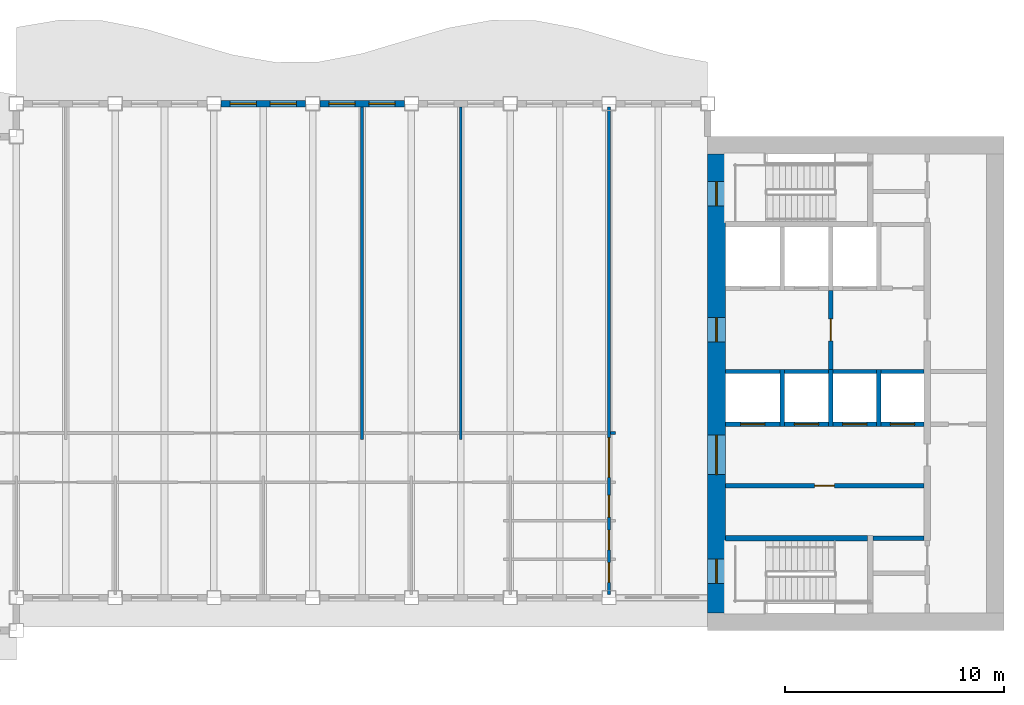
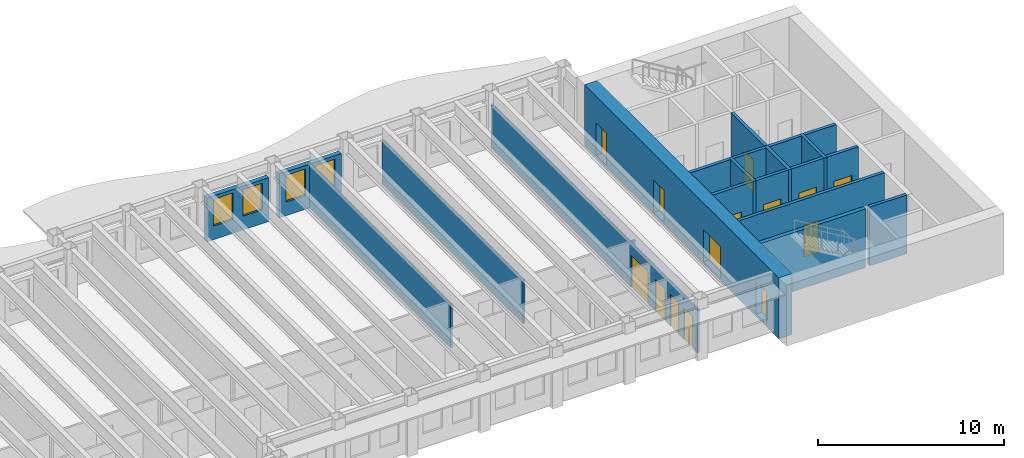
# One storey, part 5 of 12: 22 walls, 14 doors, 4 windows, 18 openings.
"""IFC4 building model written with IfcOpenShell, lengths in metres."""

from ifc_helpers import new_model, si_unit, direction, frame, frame_2d, origin, place, context, subcontext, project, spatial, rectangle, extrude, material, layer, layer_set, type_object, element, fill, save


model = new_model("IFC4")

# Units and contexts
model_context = context("Model", 3, precision=1e-05, world=origin(), true_north=direction((0.0, 1.0)))
body_context = subcontext(model_context, "Body", "Model", "MODEL_VIEW")
ifc_project = project(units=[si_unit("LENGTHUNIT", "METRE"), si_unit("AREAUNIT", "SQUARE_METRE"), si_unit("VOLUMEUNIT", "CUBIC_METRE"), si_unit("PLANEANGLEUNIT", "RADIAN"), si_unit("MASSUNIT", "GRAM", prefix="KILO")], contexts=[model_context])

# Site, building, storey
site_placement = place(None, origin())
site = spatial("IfcSite", under=ifc_project, at=site_placement, CompositionType="ELEMENT")
building_placement = place(site_placement, origin())
building = spatial("IfcBuilding", under=site, at=building_placement, Name="Sennacour Bend Tower", CompositionType="ELEMENT")
storey_placement = place(building_placement, frame((0.0, 0.0, 277.0)))
storey = spatial("IfcBuildingStorey", under=building, at=storey_placement, Name="L64", CompositionType="ELEMENT", Elevation=277.0)

# Wall, openings, doors
ifc_material_1 = material(Name="Concrete C50/60", Category="concrete")
ifc_layer_1 = layer(ifc_material_1, 0.800048828125, Name="Concrete C50/60", Category="concrete")
ifc_layer_set_1 = layer_set([ifc_layer_1], Name="Concrete C50/60")
wall_type_1 = type_object("IfcWallType", Name="Core wall 800 C50/60", PredefinedType="SHEAR", material=ifc_layer_set_1)
wall_1_placement = place(storey_placement, frame((54.39990234375, 0.800048828125, -0.14990234375), z_axis=(0.0, 0.0, 1.0), x_axis=(0.0, 1.0, 0.0)))
wall_1 = element("IfcWall", 1, at=wall_1_placement, inside=storey, type_object=wall_type_1, Name="Core A wall L64 W", PredefinedType="SHEAR", context=body_context, shape_type="SweptSolid", body=[
    extrude(rectangle(XDim=20.89990234375, YDim=0.800048828125, at=frame_2d((10.449951171875, 0.0))), origin(), (0.0, 0.0, 1.0), 4.0),
])
opening_1_placement = place(wall_1_placement, frame((6.300048828125, 0.0, 0.14990234375)))
opening_1 = element("IfcOpeningElement", 2, at=opening_1_placement, cuts=wall_1, Name="Opening CD", PredefinedType="OPENING", context=body_context, shape_type="SweptSolid", body=[
    extrude(rectangle(XDim=1.800048828125, YDim=2.10009765625, at=frame_2d((0.89990234375, 1.050048828125))), frame((0.0, 0.41015625, 0.0), z_axis=(0.0, -1.0, 0.0), x_axis=(1.0, 0.0, 0.0)), (0.0, 0.0, 1.0), 0.820068359375),
])
opening_2_placement = place(wall_1_placement, frame((12.35009765625, 0.0, 0.14990234375)))
opening_2 = element("IfcOpeningElement", 3, at=opening_2_placement, cuts=wall_1, Name="Opening FD", PredefinedType="OPENING", context=body_context, shape_type="SweptSolid", body=[
    extrude(rectangle(XDim=1.10009765625, YDim=2.10009765625, at=frame_2d((0.550048828125, 1.050048828125))), frame((0.0, 0.41015625, 0.0), z_axis=(0.0, -1.0, 0.0), x_axis=(1.0, 0.0, 0.0)), (0.0, 0.0, 1.0), 0.820068359375),
])
opening_3_placement = place(wall_1_placement, frame((1.35009765625, 0.0, 0.14990234375)))
opening_3 = element("IfcOpeningElement", 4, at=opening_3_placement, cuts=wall_1, Name="Opening SD", PredefinedType="OPENING", context=body_context, shape_type="SweptSolid", body=[
    extrude(rectangle(XDim=1.10009765625, YDim=2.10009765625, at=frame_2d((0.550048828125, 1.050048828125))), frame((0.0, 0.41015625, 0.0), z_axis=(0.0, -1.0, 0.0), x_axis=(1.0, 0.0, 0.0)), (0.0, 0.0, 1.0), 0.820068359375),
])
opening_4_placement = place(wall_1_placement, frame((18.550048828125, 0.0, 0.14990234375)))
opening_4 = element("IfcOpeningElement", 5, at=opening_4_placement, cuts=wall_1, Name="Opening SD", PredefinedType="OPENING", context=body_context, shape_type="SweptSolid", body=[
    extrude(rectangle(XDim=1.10009765625, YDim=2.10009765625, at=frame_2d((0.550048828125, 1.050048828125))), frame((0.0, 0.41015625, 0.0), z_axis=(0.0, -1.0, 0.0), x_axis=(1.0, 0.0, 0.0)), (0.0, 0.0, 1.0), 0.820068359375),
])
ifc_material_2 = material(Name="Painted steel", Category="steel")
door_type_1 = type_object("IfcDoorType", Name="DR-FFL-1100", OperationType="NOTDEFINED", PredefinedType="DOOR", material=ifc_material_2)
door_1_placement = place(opening_2_placement, origin())
door_1 = element("IfcDoor", 6, at=door_1_placement, inside=storey, type_object=door_type_1, Name="Door", OperationType="SINGLE_SWING_RIGHT", OverallHeight=2.10009765625, OverallWidth=1.10009765625, PredefinedType="DOOR", context=body_context, shape_type="SweptSolid", body=[
    extrude(rectangle(XDim=1.10009765625, YDim=2.10009765625, at=frame_2d((0.550048828125, 1.050048828125))), frame((0.0, 0.02490234375, 0.0), z_axis=(0.0, -1.0, 0.0), x_axis=(1.0, 0.0, 0.0)), (0.0, 0.0, 1.0), 0.050048828125),
])
fill(opening_2, door_1)
door_type_2 = type_object("IfcDoorType", Name="DR-LOBBY-1800", OperationType="NOTDEFINED", PredefinedType="DOOR", material=ifc_material_2)
door_2_placement = place(opening_1_placement, origin())
door_2 = element("IfcDoor", 7, at=door_2_placement, inside=storey, type_object=door_type_2, Name="Door", OperationType="DOUBLE_DOOR_SINGLE_SWING", OverallHeight=2.10009765625, OverallWidth=1.800048828125, PredefinedType="DOOR", context=body_context, shape_type="SweptSolid", body=[
    extrude(rectangle(XDim=1.800048828125, YDim=2.10009765625, at=frame_2d((0.89990234375, 1.050048828125))), frame((0.0, 0.02490234375, 0.0), z_axis=(0.0, -1.0, 0.0), x_axis=(1.0, 0.0, 0.0)), (0.0, 0.0, 1.0), 0.050048828125),
])
fill(opening_1, door_2)
door_type_3 = type_object("IfcDoorType", Name="DR-STAIR-1100", OperationType="NOTDEFINED", PredefinedType="DOOR", material=ifc_material_2)
door_3_placement = place(opening_3_placement, origin())
door_3 = element("IfcDoor", 8, at=door_3_placement, inside=storey, type_object=door_type_3, Name="Door", OperationType="SINGLE_SWING_LEFT", OverallHeight=2.10009765625, OverallWidth=1.10009765625, PredefinedType="DOOR", context=body_context, shape_type="SweptSolid", body=[
    extrude(rectangle(XDim=1.10009765625, YDim=2.10009765625, at=frame_2d((0.550048828125, 1.050048828125))), frame((0.0, 0.02490234375, 0.0), z_axis=(0.0, -1.0, 0.0), x_axis=(1.0, 0.0, 0.0)), (0.0, 0.0, 1.0), 0.050048828125),
])
fill(opening_3, door_3)
door_4_placement = place(opening_4_placement, origin())
door_4 = element("IfcDoor", 9, at=door_4_placement, inside=storey, type_object=door_type_3, Name="Door", OperationType="SINGLE_SWING_RIGHT", OverallHeight=2.10009765625, OverallWidth=1.10009765625, PredefinedType="DOOR", context=body_context, shape_type="SweptSolid", body=[
    extrude(rectangle(XDim=1.10009765625, YDim=2.10009765625, at=frame_2d((0.550048828125, 1.050048828125))), frame((0.0, 0.02490234375, 0.0), z_axis=(0.0, -1.0, 0.0), x_axis=(1.0, 0.0, 0.0)), (0.0, 0.0, 1.0), 0.050048828125),
])
fill(opening_4, door_4)

# Walls
ifc_material_3 = material(Name="Plasterboard partition on steel studs", Category="steel")
ifc_layer_2 = layer(ifc_material_3, 0.1201171875, Name="Plasterboard partition on steel studs", Category="steel")
ifc_layer_set_2 = layer_set([ifc_layer_2], Name="Plasterboard partition on steel studs")
wall_type_2 = type_object("IfcWallType", Name="Partition 120", PredefinedType="PARTITIONING", material=ifc_layer_set_2)
for number, where, z_axis, x_axis, name in (
    (10, (38.25, 8.699951171875, 0.0), (0.0, 0.0, 1.0), (0.0, 1.0, 0.0), "P-L64-W014a"),
    (11, (42.75, 8.699951171875, 0.0), (0.0, 0.0, 1.0), (0.0, 1.0, 0.0), "P-L64-W016a"),
):
    element("IfcWall", number, at=place(storey_placement, frame(where, z_axis=z_axis, x_axis=x_axis)), inside=storey, type_object=wall_type_2, Name=name, PredefinedType="PARTITIONING", context=body_context, shape_type="SweptSolid", body=[
        extrude(rectangle(XDim=15.150146484375, YDim=0.1201171875, at=frame_2d((7.5751953125, 0.0))), origin(), (0.0, 0.0, 1.0), 2.8701171875),
    ])
wall_2_placement = place(storey_placement, frame((49.56005859375, 9.0, 0.0), z_axis=(0.0, 0.0, 1.0), x_axis=(1.0, 0.0, 0.0)))
element("IfcWall", 12, at=wall_2_placement, inside=storey, type_object=wall_type_2, Name="P-L64-W044ag", PredefinedType="PARTITIONING", context=body_context, shape_type="SweptSolid", body=[
    extrude(rectangle(XDim=0.239990234375, YDim=0.1201171875, at=frame_2d((0.1201171875, 0.0))), origin(), (0.0, 0.0, 1.0), 2.8701171875),
])

# Wall, openings, doors
ifc_layer_3 = layer(ifc_material_3, 0.1201171875, Name="Plasterboard partition on steel studs", Category="steel")
ifc_layer_set_3 = layer_set([ifc_layer_3], Name="Plasterboard partition on steel studs")
wall_type_3 = type_object("IfcWallType", Name="Partition 120 EI 30", PredefinedType="PARTITIONING", material=ifc_layer_set_3)
wall_3_placement = place(storey_placement, frame((49.5, 1.64990234375, 0.0), z_axis=(0.0, 0.0, 1.0), x_axis=(0.0, 1.0, 0.0)))
wall_3 = element("IfcWall", 13, at=wall_3_placement, inside=storey, type_object=wall_type_3, Name="P-L64-W018a", PredefinedType="PARTITIONING", context=body_context, shape_type="SweptSolid", body=[
    extrude(rectangle(XDim=22.2001953125, YDim=0.1201171875, at=frame_2d((11.10009765625, 0.0))), origin(), (0.0, 0.0, 1.0), 2.8701171875),
])
opening_5_placement = place(wall_3_placement, frame((5.3251953125, 0.0, 0.0)))
opening_5 = element("IfcOpeningElement", 14, at=opening_5_placement, cuts=wall_3, Name="Opening KD3", PredefinedType="OPENING", context=body_context, shape_type="SweptSolid", body=[
    extrude(rectangle(XDim=1.800048828125, YDim=2.10009765625, at=frame_2d((0.89990234375, 1.050048828125))), frame((0.0, 0.070068359375, 0.0), z_axis=(0.0, -1.0, 0.0), x_axis=(1.0, 0.0, 0.0)), (0.0, 0.0, 1.0), 0.14013671875),
])
opening_6_placement = place(wall_3_placement, frame((0.5400390625, 0.0, 0.0)))
opening_6 = element("IfcOpeningElement", 15, at=opening_6_placement, cuts=wall_3, Name="Opening WD", PredefinedType="OPENING", context=body_context, shape_type="SweptSolid", body=[
    extrude(rectangle(XDim=0.89990234375, YDim=2.10009765625, at=frame_2d((0.449951171875, 1.050048828125))), frame((0.0, 0.070068359375, 0.0), z_axis=(0.0, -1.0, 0.0), x_axis=(1.0, 0.0, 0.0)), (0.0, 0.0, 1.0), 0.14013671875),
])
opening_7_placement = place(wall_3_placement, frame((2.025146484375, 0.0, 0.0)))
opening_7 = element("IfcOpeningElement", 16, at=opening_7_placement, cuts=wall_3, Name="Opening WD", PredefinedType="OPENING", context=body_context, shape_type="SweptSolid", body=[
    extrude(rectangle(XDim=0.89990234375, YDim=2.10009765625, at=frame_2d((0.449951171875, 1.050048828125))), frame((0.0, 0.070068359375, 0.0), z_axis=(0.0, -1.0, 0.0), x_axis=(1.0, 0.0, 0.0)), (0.0, 0.0, 1.0), 0.14013671875),
])
opening_8_placement = place(wall_3_placement, frame((3.510009765625, 0.0, 0.0)))
opening_8 = element("IfcOpeningElement", 17, at=opening_8_placement, cuts=wall_3, Name="Opening AD", PredefinedType="OPENING", context=body_context, shape_type="SweptSolid", body=[
    extrude(rectangle(XDim=1.0, YDim=2.10009765625, at=frame_2d((0.5, 1.050048828125))), frame((0.0, 0.070068359375, 0.0), z_axis=(0.0, -1.0, 0.0), x_axis=(1.0, 0.0, 0.0)), (0.0, 0.0, 1.0), 0.14013671875),
])
ifc_material_4 = material(Name="Timber", Category="wood")
door_type_4 = type_object("IfcDoorType", Name="DR-ACC-WC-1000", OperationType="NOTDEFINED", PredefinedType="DOOR", material=ifc_material_4)
door_5_placement = place(opening_8_placement, origin())
door_5 = element("IfcDoor", 18, at=door_5_placement, inside=storey, type_object=door_type_4, Name="Door", OperationType="SINGLE_SWING_LEFT", OverallHeight=2.10009765625, OverallWidth=1.0, PredefinedType="DOOR", context=body_context, shape_type="SweptSolid", body=[
    extrude(rectangle(XDim=1.0, YDim=2.10009765625, at=frame_2d((0.5, 1.050048828125))), frame((0.0, 0.02490234375, 0.0), z_axis=(0.0, -1.0, 0.0), x_axis=(1.0, 0.0, 0.0)), (0.0, 0.0, 1.0), 0.050048828125),
])
fill(opening_8, door_5)
door_type_5 = type_object("IfcDoorType", Name="DR-CORRIDOR-1800", OperationType="NOTDEFINED", PredefinedType="DOOR", material=ifc_material_2)
door_6_placement = place(opening_5_placement, origin())
door_6 = element("IfcDoor", 19, at=door_6_placement, inside=storey, type_object=door_type_5, Name="Door", OperationType="DOUBLE_DOOR_SINGLE_SWING", OverallHeight=2.10009765625, OverallWidth=1.800048828125, PredefinedType="DOOR", context=body_context, shape_type="SweptSolid", body=[
    extrude(rectangle(XDim=1.800048828125, YDim=2.10009765625, at=frame_2d((0.89990234375, 1.050048828125))), frame((0.0, 0.02490234375, 0.0), z_axis=(0.0, -1.0, 0.0), x_axis=(1.0, 0.0, 0.0)), (0.0, 0.0, 1.0), 0.050048828125),
])
fill(opening_5, door_6)
door_type_6 = type_object("IfcDoorType", Name="DR-WC-900", OperationType="NOTDEFINED", PredefinedType="DOOR", material=ifc_material_4)
door_7_placement = place(opening_6_placement, origin())
door_7 = element("IfcDoor", 20, at=door_7_placement, inside=storey, type_object=door_type_6, Name="Door", OperationType="SINGLE_SWING_LEFT", OverallHeight=2.10009765625, OverallWidth=0.89990234375, PredefinedType="DOOR", context=body_context, shape_type="SweptSolid", body=[
    extrude(rectangle(XDim=0.89990234375, YDim=2.10009765625, at=frame_2d((0.449951171875, 1.050048828125))), frame((0.0, 0.02490234375, 0.0), z_axis=(0.0, -1.0, 0.0), x_axis=(1.0, 0.0, 0.0)), (0.0, 0.0, 1.0), 0.050048828125),
])
fill(opening_6, door_7)
door_8_placement = place(opening_7_placement, origin())
door_8 = element("IfcDoor", 21, at=door_8_placement, inside=storey, type_object=door_type_6, Name="Door", OperationType="SINGLE_SWING_LEFT", OverallHeight=2.10009765625, OverallWidth=0.89990234375, PredefinedType="DOOR", context=body_context, shape_type="SweptSolid", body=[
    extrude(rectangle(XDim=0.89990234375, YDim=2.10009765625, at=frame_2d((0.449951171875, 1.050048828125))), frame((0.0, 0.02490234375, 0.0), z_axis=(0.0, -1.0, 0.0), x_axis=(1.0, 0.0, 0.0)), (0.0, 0.0, 1.0), 0.050048828125),
])
fill(opening_7, door_8)

# Wall
ifc_material_5 = material(Name="Fire-rated plasterboard partition on steel studs", Category="steel")
ifc_layer_4 = layer(ifc_material_5, 0.199951171875, Name="Fire-rated plasterboard partition on steel studs", Category="steel")
ifc_layer_set_4 = layer_set([ifc_layer_4], Name="Fire-rated plasterboard partition on steel studs")
wall_type_4 = type_object("IfcWallType", Name="Rated partition 200", PredefinedType="PARTITIONING", material=ifc_layer_set_4)
wall_4_placement = place(storey_placement, frame((61.52490234375, 4.199951171875, 0.0), z_axis=(0.0, 0.0, 1.0), x_axis=(1.0, 0.0, 0.0)))
element("IfcWall", 22, at=wall_4_placement, inside=storey, type_object=wall_type_4, Name="P-L64-W040", PredefinedType="PARTITIONING", context=body_context, shape_type="SweptSolid", body=[
    extrude(rectangle(XDim=2.3251953125, YDim=0.199951171875, at=frame_2d((1.16259765625, 0.0))), origin(), (0.0, 0.0, 1.0), 3.85009765625),
])

# Wall, opening, door
wall_5_placement = place(storey_placement, frame((54.800048828125, 6.60009765625, 0.0), z_axis=(0.0, 0.0, 1.0), x_axis=(1.0, 0.0, 0.0)))
wall_5 = element("IfcWall", 23, at=wall_5_placement, inside=storey, type_object=wall_type_4, Name="P-L64-W042", PredefinedType="PARTITIONING", context=body_context, shape_type="SweptSolid", body=[
    extrude(rectangle(XDim=9.050048828125, YDim=0.199951171875, at=frame_2d((4.52490234375, 0.0))), origin(), (0.0, 0.0, 1.0), 3.85009765625),
])
opening_9_placement = place(wall_5_placement, frame((4.074951171875, 0.0, 0.0)))
opening_9 = element("IfcOpeningElement", 24, at=opening_9_placement, cuts=wall_5, Name="Opening SV", PredefinedType="OPENING", context=body_context, shape_type="SweptSolid", body=[
    extrude(rectangle(XDim=0.89990234375, YDim=2.10009765625, at=frame_2d((0.449951171875, 1.050048828125))), frame((0.0, 0.10986328125, 0.0), z_axis=(0.0, -1.0, 0.0), x_axis=(1.0, 0.0, 0.0)), (0.0, 0.0, 1.0), 0.219970703125),
])
door_type_7 = type_object("IfcDoorType", Name="DR-SERVICE-900", OperationType="NOTDEFINED", PredefinedType="DOOR", material=ifc_material_2)
door_9_placement = place(opening_9_placement, origin())
door_9 = element("IfcDoor", 25, at=door_9_placement, inside=storey, type_object=door_type_7, Name="Door", OperationType="SINGLE_SWING_LEFT", OverallHeight=2.10009765625, OverallWidth=0.89990234375, PredefinedType="DOOR", context=body_context, shape_type="SweptSolid", body=[
    extrude(rectangle(XDim=0.89990234375, YDim=2.10009765625, at=frame_2d((0.449951171875, 1.050048828125))), frame((0.0, 0.02490234375, 0.0), z_axis=(0.0, -1.0, 0.0), x_axis=(1.0, 0.0, 0.0)), (0.0, 0.0, 1.0), 0.050048828125),
])
fill(opening_9, door_9)

ifc_layer_5 = layer(ifc_material_5, 0.199951171875, Name="Fire-rated plasterboard partition on steel studs", Category="steel")
ifc_layer_set_5 = layer_set([ifc_layer_5], Name="Fire-rated plasterboard partition on steel studs")
wall_type_5 = type_object("IfcWallType", Name="Rated partition 200 EI 90", PredefinedType="PARTITIONING", material=ifc_layer_set_5)
wall_6_placement = place(storey_placement, frame((59.60009765625, 11.89990234375, 0.0), z_axis=(0.0, 0.0, 1.0), x_axis=(0.0, 1.0, 0.0)))
wall_6 = element("IfcWall", 26, at=wall_6_placement, inside=storey, type_object=wall_type_5, Name="P-L64-W023", PredefinedType="PARTITIONING", context=body_context, shape_type="SweptSolid", body=[
    extrude(rectangle(XDim=3.60009765625, YDim=0.199951171875, at=frame_2d((1.800048828125, 0.0))), origin(), (0.0, 0.0, 1.0), 3.85009765625),
])
opening_10_placement = place(wall_6_placement, frame((1.300048828125, 0.0, 0.0)))
opening_10 = element("IfcOpeningElement", 27, at=opening_10_placement, cuts=wall_6, Name="Opening FD2", PredefinedType="OPENING", context=body_context, shape_type="SweptSolid", body=[
    extrude(rectangle(XDim=1.0, YDim=2.10009765625, at=frame_2d((0.5, 1.050048828125))), frame((0.0, 0.10986328125, 0.0), z_axis=(0.0, -1.0, 0.0), x_axis=(1.0, 0.0, 0.0)), (0.0, 0.0, 1.0), 0.219970703125),
])
door_type_8 = type_object("IfcDoorType", Name="DR-FFL-1000", OperationType="NOTDEFINED", PredefinedType="DOOR", material=ifc_material_2)
door_10_placement = place(opening_10_placement, origin())
door_10 = element("IfcDoor", 28, at=door_10_placement, inside=storey, type_object=door_type_8, Name="Door", OperationType="SINGLE_SWING_LEFT", OverallHeight=2.10009765625, OverallWidth=1.0, PredefinedType="DOOR", context=body_context, shape_type="SweptSolid", body=[
    extrude(rectangle(XDim=1.0, YDim=2.10009765625, at=frame_2d((0.5, 1.050048828125))), frame((0.0, 0.02490234375, 0.0), z_axis=(0.0, -1.0, 0.0), x_axis=(1.0, 0.0, 0.0)), (0.0, 0.0, 1.0), 0.050048828125),
])
fill(opening_10, door_10)

# Wall, openings, windows
ifc_material_6 = material(Name="Warm limestone cladding", Category="masonry")
ifc_layer_6 = layer(ifc_material_6, 0.050048828125, Name="Warm limestone cladding", Category="masonry")
ifc_material_7 = material(Name="Precast concrete C40/50", Category="concrete")
ifc_layer_7 = layer(ifc_material_7, 0.25, Name="Precast concrete C40/50", Category="concrete")
ifc_layer_set_6 = layer_set([ifc_layer_6, ifc_layer_7], Name="Precast concrete C40/50 with limestone cladding")
wall_type_6 = type_object("IfcWallType", Name="STONE-CLAD PRECAST SPANDREL 300", PredefinedType="STANDARD", material=ifc_layer_set_6)
wall_7_placement = place(storey_placement, frame((40.175048828125, 24.0, 0.0), z_axis=(0.0, 0.0, 1.0), x_axis=(-1.0, 0.0, 0.0)))
wall_7 = element("IfcWall", 29, at=wall_7_placement, inside=storey, type_object=wall_type_6, Name="Stone spandrel and pier wall L64 07.03", PredefinedType="STANDARD", context=body_context, shape_type="SweptSolid", body=[
    extrude(rectangle(XDim=3.85009765625, YDim=0.300048828125, at=frame_2d((1.925048828125, 0.0))), origin(), (0.0, 0.0, 1.0), 2.8701171875),
])
opening_11_placement = place(wall_7_placement, frame((0.41259765625, 0.0, 0.89990234375)))
opening_11 = element("IfcOpeningElement", 30, at=opening_11_placement, cuts=wall_7, Name="Opening W16", PredefinedType="OPENING", context=body_context, shape_type="SweptSolid", body=[
    extrude(rectangle(XDim=1.199951171875, YDim=1.75, at=frame_2d((0.60009765625, 0.875))), frame((0.0, 0.16015625, 0.0), z_axis=(0.0, -1.0, 0.0), x_axis=(1.0, 0.0, 0.0)), (0.0, 0.0, 1.0), 0.320068359375),
])
opening_12_placement = place(wall_7_placement, frame((2.237548828125, 0.0, 0.89990234375)))
opening_12 = element("IfcOpeningElement", 31, at=opening_12_placement, cuts=wall_7, Name="Opening W16", PredefinedType="OPENING", context=body_context, shape_type="SweptSolid", body=[
    extrude(rectangle(XDim=1.199951171875, YDim=1.75, at=frame_2d((0.60009765625, 0.875))), frame((0.0, 0.16015625, 0.0), z_axis=(0.0, -1.0, 0.0), x_axis=(1.0, 0.0, 0.0)), (0.0, 0.0, 1.0), 0.320068359375),
])
ifc_material_8 = material(Name="Clear low-emissivity glass", Category="glass")
window_type = type_object("IfcWindowType", Name="WIN-RIBBON-1200x1750", PartitioningType="SINGLE_PANEL", PredefinedType="WINDOW", material=ifc_material_8)
window_1_placement = place(opening_11_placement, origin())
window_1 = element("IfcWindow", 32, at=window_1_placement, inside=storey, type_object=window_type, Name="Ribbon window L64 07.03.0", OverallHeight=1.75, OverallWidth=1.199951171875, PartitioningType="SINGLE_PANEL", PredefinedType="WINDOW", context=body_context, shape_type="SweptSolid", body=[
    extrude(rectangle(XDim=1.199951171875, YDim=1.75, at=frame_2d((0.60009765625, 0.875))), frame((0.0, 0.030029296875, 0.0), z_axis=(0.0, -1.0, 0.0), x_axis=(1.0, 0.0, 0.0)), (0.0, 0.0, 1.0), 0.06005859375),
])
fill(opening_11, window_1)
window_2_placement = place(opening_12_placement, origin())
window_2 = element("IfcWindow", 33, at=window_2_placement, inside=storey, type_object=window_type, Name="Ribbon window L64 07.03.1", OverallHeight=1.75, OverallWidth=1.199951171875, PartitioningType="SINGLE_PANEL", PredefinedType="WINDOW", context=body_context, shape_type="SweptSolid", body=[
    extrude(rectangle(XDim=1.199951171875, YDim=1.75, at=frame_2d((0.60009765625, 0.875))), frame((0.0, 0.030029296875, 0.0), z_axis=(0.0, -1.0, 0.0), x_axis=(1.0, 0.0, 0.0)), (0.0, 0.0, 1.0), 0.06005859375),
])
fill(opening_12, window_2)

wall_8_placement = place(storey_placement, frame((35.675048828125, 24.0, 0.0), z_axis=(0.0, 0.0, 1.0), x_axis=(-1.0, 0.0, 0.0)))
wall_8 = element("IfcWall", 34, at=wall_8_placement, inside=storey, type_object=wall_type_6, Name="Stone spandrel and pier wall L64 07.04", PredefinedType="STANDARD", context=body_context, shape_type="SweptSolid", body=[
    extrude(rectangle(XDim=3.85009765625, YDim=0.300048828125, at=frame_2d((1.925048828125, 0.0))), origin(), (0.0, 0.0, 1.0), 2.8701171875),
])
opening_13_placement = place(wall_8_placement, frame((0.41259765625, 0.0, 0.89990234375)))
opening_13 = element("IfcOpeningElement", 35, at=opening_13_placement, cuts=wall_8, Name="Opening W16", PredefinedType="OPENING", context=body_context, shape_type="SweptSolid", body=[
    extrude(rectangle(XDim=1.199951171875, YDim=1.75, at=frame_2d((0.60009765625, 0.875))), frame((0.0, 0.16015625, 0.0), z_axis=(0.0, -1.0, 0.0), x_axis=(1.0, 0.0, 0.0)), (0.0, 0.0, 1.0), 0.320068359375),
])
opening_14_placement = place(wall_8_placement, frame((2.237548828125, 0.0, 0.89990234375)))
opening_14 = element("IfcOpeningElement", 36, at=opening_14_placement, cuts=wall_8, Name="Opening W16", PredefinedType="OPENING", context=body_context, shape_type="SweptSolid", body=[
    extrude(rectangle(XDim=1.199951171875, YDim=1.75, at=frame_2d((0.60009765625, 0.875))), frame((0.0, 0.16015625, 0.0), z_axis=(0.0, -1.0, 0.0), x_axis=(1.0, 0.0, 0.0)), (0.0, 0.0, 1.0), 0.320068359375),
])
window_3_placement = place(opening_13_placement, origin())
window_3 = element("IfcWindow", 37, at=window_3_placement, inside=storey, type_object=window_type, Name="Ribbon window L64 07.04.0", OverallHeight=1.75, OverallWidth=1.199951171875, PartitioningType="SINGLE_PANEL", PredefinedType="WINDOW", context=body_context, shape_type="SweptSolid", body=[
    extrude(rectangle(XDim=1.199951171875, YDim=1.75, at=frame_2d((0.60009765625, 0.875))), frame((0.0, 0.030029296875, 0.0), z_axis=(0.0, -1.0, 0.0), x_axis=(1.0, 0.0, 0.0)), (0.0, 0.0, 1.0), 0.06005859375),
])
fill(opening_13, window_3)
window_4_placement = place(opening_14_placement, origin())
window_4 = element("IfcWindow", 38, at=window_4_placement, inside=storey, type_object=window_type, Name="Ribbon window L64 07.04.1", OverallHeight=1.75, OverallWidth=1.199951171875, PartitioningType="SINGLE_PANEL", PredefinedType="WINDOW", context=body_context, shape_type="SweptSolid", body=[
    extrude(rectangle(XDim=1.199951171875, YDim=1.75, at=frame_2d((0.60009765625, 0.875))), frame((0.0, 0.030029296875, 0.0), z_axis=(0.0, -1.0, 0.0), x_axis=(1.0, 0.0, 0.0)), (0.0, 0.0, 1.0), 0.06005859375),
])
fill(opening_14, window_4)

# Walls
ifc_layer_8 = layer(ifc_material_1, 0.199951171875, Name="Concrete C50/60", Category="concrete")
ifc_layer_set_7 = layer_set([ifc_layer_8], Name="Concrete C50/60")
wall_type_7 = type_object("IfcWallType", Name="Shaft wall 200", PredefinedType="SOLIDWALL", material=ifc_layer_set_7)
for number, where, z_axis, x_axis, name in (
    (39, (57.39990234375, 9.300048828125, 0.0), (0.0, 0.0, 1.0), (0.0, 1.0, 0.0), "P-L64-W020"),
    (40, (59.60009765625, 9.300048828125, 0.0), (0.0, 0.0, 1.0), (0.0, 1.0, 0.0), "P-L64-W022"),
    (41, (61.800048828125, 9.300048828125, 0.0), (0.0, 0.0, 1.0), (0.0, 1.0, 0.0), "P-L64-W027"),
):
    element("IfcWall", number, at=place(storey_placement, frame(where, z_axis=z_axis, x_axis=x_axis)), inside=storey, type_object=wall_type_7, Name=name, PredefinedType="SOLIDWALL", context=body_context, shape_type="SweptSolid", body=[
        extrude(rectangle(XDim=2.599853515625, YDim=0.199951171875, at=frame_2d((1.2998046875, 0.0))), origin(), (0.0, 0.0, 1.0), 3.85009765625),
    ])

# Wall, opening, door
wall_9_placement = place(storey_placement, frame((54.800048828125, 9.39990234375, 0.0), z_axis=(0.0, 0.0, 1.0), x_axis=(1.0, 0.0, 0.0)))
wall_9 = element("IfcWall", 42, at=wall_9_placement, inside=storey, type_object=wall_type_7, Name="P-L64-W045a", PredefinedType="SOLIDWALL", context=body_context, shape_type="SweptSolid", body=[
    extrude(rectangle(XDim=2.5, YDim=0.199951171875, at=frame_2d((1.25, 0.0))), origin(), (0.0, 0.0, 1.0), 3.85009765625),
])
opening_15_placement = place(wall_9_placement, frame((0.699951171875, 0.0, 0.011962890625)))
opening_15 = element("IfcOpeningElement", 43, at=opening_15_placement, cuts=wall_9, Name="Opening LD", PredefinedType="OPENING", context=body_context, shape_type="SweptSolid", body=[
    extrude(rectangle(XDim=1.10009765625, YDim=2.10009765625, at=frame_2d((0.550048828125, 1.050048828125))), frame((0.0, 0.10986328125, 0.0), z_axis=(0.0, -1.0, 0.0), x_axis=(1.0, 0.0, 0.0)), (0.0, 0.0, 1.0), 0.219970703125),
])
ifc_material_9 = material(Name="Stainless steel", Category="steel")
door_type_9 = type_object("IfcDoorType", Name="DR-LANDING-1100", OperationType="NOTDEFINED", PredefinedType="DOOR", material=ifc_material_9)
door_11_placement = place(opening_15_placement, origin())
door_11 = element("IfcDoor", 44, at=door_11_placement, inside=storey, type_object=door_type_9, Name="Lift landing door HA1", OperationType="SLIDING_TO_LEFT", OverallHeight=2.10009765625, OverallWidth=1.10009765625, PredefinedType="DOOR", context=body_context, shape_type="SweptSolid", body=[
    extrude(rectangle(XDim=1.10009765625, YDim=2.10009765625, at=frame_2d((0.550048828125, 1.050048828125))), frame((0.0, 0.02490234375, 0.0), z_axis=(0.0, -1.0, 0.0), x_axis=(1.0, 0.0, 0.0)), (0.0, 0.0, 1.0), 0.050048828125),
])
fill(opening_15, door_11)

wall_10_placement = place(storey_placement, frame((57.5, 9.39990234375, 0.0), z_axis=(0.0, 0.0, 1.0), x_axis=(1.0, 0.0, 0.0)))
wall_10 = element("IfcWall", 45, at=wall_10_placement, inside=storey, type_object=wall_type_7, Name="P-L64-W045b", PredefinedType="SOLIDWALL", context=body_context, shape_type="SweptSolid", body=[
    extrude(rectangle(XDim=2.0, YDim=0.199951171875, at=frame_2d((1.0, 0.0))), origin(), (0.0, 0.0, 1.0), 3.85009765625),
])
opening_16_placement = place(wall_10_placement, frame((0.449951171875, 0.0, 0.011962890625)))
opening_16 = element("IfcOpeningElement", 46, at=opening_16_placement, cuts=wall_10, Name="Opening LD", PredefinedType="OPENING", context=body_context, shape_type="SweptSolid", body=[
    extrude(rectangle(XDim=1.10009765625, YDim=2.10009765625, at=frame_2d((0.550048828125, 1.050048828125))), frame((0.0, 0.10986328125, 0.0), z_axis=(0.0, -1.0, 0.0), x_axis=(1.0, 0.0, 0.0)), (0.0, 0.0, 1.0), 0.219970703125),
])
door_12_placement = place(opening_16_placement, origin())
door_12 = element("IfcDoor", 47, at=door_12_placement, inside=storey, type_object=door_type_9, Name="Lift landing door HA2", OperationType="SLIDING_TO_RIGHT", OverallHeight=2.10009765625, OverallWidth=1.10009765625, PredefinedType="DOOR", context=body_context, shape_type="SweptSolid", body=[
    extrude(rectangle(XDim=1.10009765625, YDim=2.10009765625, at=frame_2d((0.550048828125, 1.050048828125))), frame((0.0, 0.02490234375, 0.0), z_axis=(0.0, -1.0, 0.0), x_axis=(1.0, 0.0, 0.0)), (0.0, 0.0, 1.0), 0.050048828125),
])
fill(opening_16, door_12)

wall_11_placement = place(storey_placement, frame((59.699951171875, 9.39990234375, 0.0), z_axis=(0.0, 0.0, 1.0), x_axis=(1.0, 0.0, 0.0)))
wall_11 = element("IfcWall", 48, at=wall_11_placement, inside=storey, type_object=wall_type_7, Name="P-L64-W045c", PredefinedType="SOLIDWALL", context=body_context, shape_type="SweptSolid", body=[
    extrude(rectangle(XDim=2.0, YDim=0.199951171875, at=frame_2d((1.0, 0.0))), origin(), (0.0, 0.0, 1.0), 3.85009765625),
])
opening_17_placement = place(wall_11_placement, frame((0.449951171875, 0.0, 0.011962890625)))
opening_17 = element("IfcOpeningElement", 49, at=opening_17_placement, cuts=wall_11, Name="Opening LD", PredefinedType="OPENING", context=body_context, shape_type="SweptSolid", body=[
    extrude(rectangle(XDim=1.10009765625, YDim=2.10009765625, at=frame_2d((0.550048828125, 1.050048828125))), frame((0.0, 0.10986328125, 0.0), z_axis=(0.0, -1.0, 0.0), x_axis=(1.0, 0.0, 0.0)), (0.0, 0.0, 1.0), 0.219970703125),
])
door_13_placement = place(opening_17_placement, origin())
door_13 = element("IfcDoor", 50, at=door_13_placement, inside=storey, type_object=door_type_9, Name="Lift landing door HA3", OperationType="SLIDING_TO_LEFT", OverallHeight=2.10009765625, OverallWidth=1.10009765625, PredefinedType="DOOR", context=body_context, shape_type="SweptSolid", body=[
    extrude(rectangle(XDim=1.10009765625, YDim=2.10009765625, at=frame_2d((0.550048828125, 1.050048828125))), frame((0.0, 0.02490234375, 0.0), z_axis=(0.0, -1.0, 0.0), x_axis=(1.0, 0.0, 0.0)), (0.0, 0.0, 1.0), 0.050048828125),
])
fill(opening_17, door_13)

wall_12_placement = place(storey_placement, frame((61.89990234375, 9.39990234375, 0.0), z_axis=(0.0, 0.0, 1.0), x_axis=(1.0, 0.0, 0.0)))
wall_12 = element("IfcWall", 51, at=wall_12_placement, inside=storey, type_object=wall_type_7, Name="P-L64-W045d", PredefinedType="SOLIDWALL", context=body_context, shape_type="SweptSolid", body=[
    extrude(rectangle(XDim=1.9501953125, YDim=0.199951171875, at=frame_2d((0.97509765625, 0.0))), origin(), (0.0, 0.0, 1.0), 3.85009765625),
])
opening_18_placement = place(wall_12_placement, frame((0.425048828125, 0.0, 0.011962890625)))
opening_18 = element("IfcOpeningElement", 52, at=opening_18_placement, cuts=wall_12, Name="Opening LD", PredefinedType="OPENING", context=body_context, shape_type="SweptSolid", body=[
    extrude(rectangle(XDim=1.10009765625, YDim=2.10009765625, at=frame_2d((0.550048828125, 1.050048828125))), frame((0.0, 0.10986328125, 0.0), z_axis=(0.0, -1.0, 0.0), x_axis=(1.0, 0.0, 0.0)), (0.0, 0.0, 1.0), 0.219970703125),
])
door_14_placement = place(opening_18_placement, origin())
door_14 = element("IfcDoor", 53, at=door_14_placement, inside=storey, type_object=door_type_9, Name="Lift landing door HA4", OperationType="SLIDING_TO_RIGHT", OverallHeight=2.10009765625, OverallWidth=1.10009765625, PredefinedType="DOOR", context=body_context, shape_type="SweptSolid", body=[
    extrude(rectangle(XDim=1.10009765625, YDim=2.10009765625, at=frame_2d((0.550048828125, 1.050048828125))), frame((0.0, 0.02490234375, 0.0), z_axis=(0.0, -1.0, 0.0), x_axis=(1.0, 0.0, 0.0)), (0.0, 0.0, 1.0), 0.050048828125),
])
fill(opening_18, door_14)

# Walls
wall_13_placement = place(storey_placement, frame((54.800048828125, 11.800048828125, 0.0), z_axis=(0.0, 0.0, 1.0), x_axis=(1.0, 0.0, 0.0)))
element("IfcWall", 54, at=wall_13_placement, inside=storey, type_object=wall_type_7, Name="P-L64-W047a", PredefinedType="SOLIDWALL", context=body_context, shape_type="SweptSolid", body=[
    extrude(rectangle(XDim=2.5, YDim=0.199951171875, at=frame_2d((1.25, 0.0))), origin(), (0.0, 0.0, 1.0), 3.85009765625),
])
for number, where, z_axis, x_axis, name in (
    (55, (57.5, 11.800048828125, 0.0), (0.0, 0.0, 1.0), (1.0, 0.0, 0.0), "P-L64-W047b"),
    (56, (59.699951171875, 11.800048828125, 0.0), (0.0, 0.0, 1.0), (1.0, 0.0, 0.0), "P-L64-W047c"),
):
    element("IfcWall", number, at=place(storey_placement, frame(where, z_axis=z_axis, x_axis=x_axis)), inside=storey, type_object=wall_type_7, Name=name, PredefinedType="SOLIDWALL", context=body_context, shape_type="SweptSolid", body=[
        extrude(rectangle(XDim=2.0, YDim=0.199951171875, at=frame_2d((1.0, 0.0))), origin(), (0.0, 0.0, 1.0), 3.85009765625),
    ])
wall_14_placement = place(storey_placement, frame((61.89990234375, 11.800048828125, 0.0), z_axis=(0.0, 0.0, 1.0), x_axis=(1.0, 0.0, 0.0)))
element("IfcWall", 57, at=wall_14_placement, inside=storey, type_object=wall_type_7, Name="P-L64-W047d", PredefinedType="SOLIDWALL", context=body_context, shape_type="SweptSolid", body=[
    extrude(rectangle(XDim=1.9501953125, YDim=0.199951171875, at=frame_2d((0.97509765625, 0.0))), origin(), (0.0, 0.0, 1.0), 3.85009765625),
])
ifc_material_10 = material(Name="Concrete C60/75", Category="concrete")
ifc_layer_9 = layer(ifc_material_10, 0.25, Name="Concrete C60/75", Category="concrete")
ifc_layer_set_8 = layer_set([ifc_layer_9], Name="Concrete C60/75")
wall_type_8 = type_object("IfcWallType", Name="Stair wall 250", PredefinedType="SHEAR", material=ifc_layer_set_8)
wall_15_placement = place(storey_placement, frame((54.800048828125, 4.199951171875, 0.0), z_axis=(0.0, 0.0, 1.0), x_axis=(1.0, 0.0, 0.0)))
element("IfcWall", 58, at=wall_15_placement, inside=storey, type_object=wall_type_8, Name="P-L64-W039", PredefinedType="SHEAR", context=body_context, shape_type="SweptSolid", body=[
    extrude(rectangle(XDim=6.474853515625, YDim=0.25, at=frame_2d((3.2373046875, 0.0))), origin(), (0.0, 0.0, 1.0), 3.85009765625),
])

save(model, "model.ifc")
